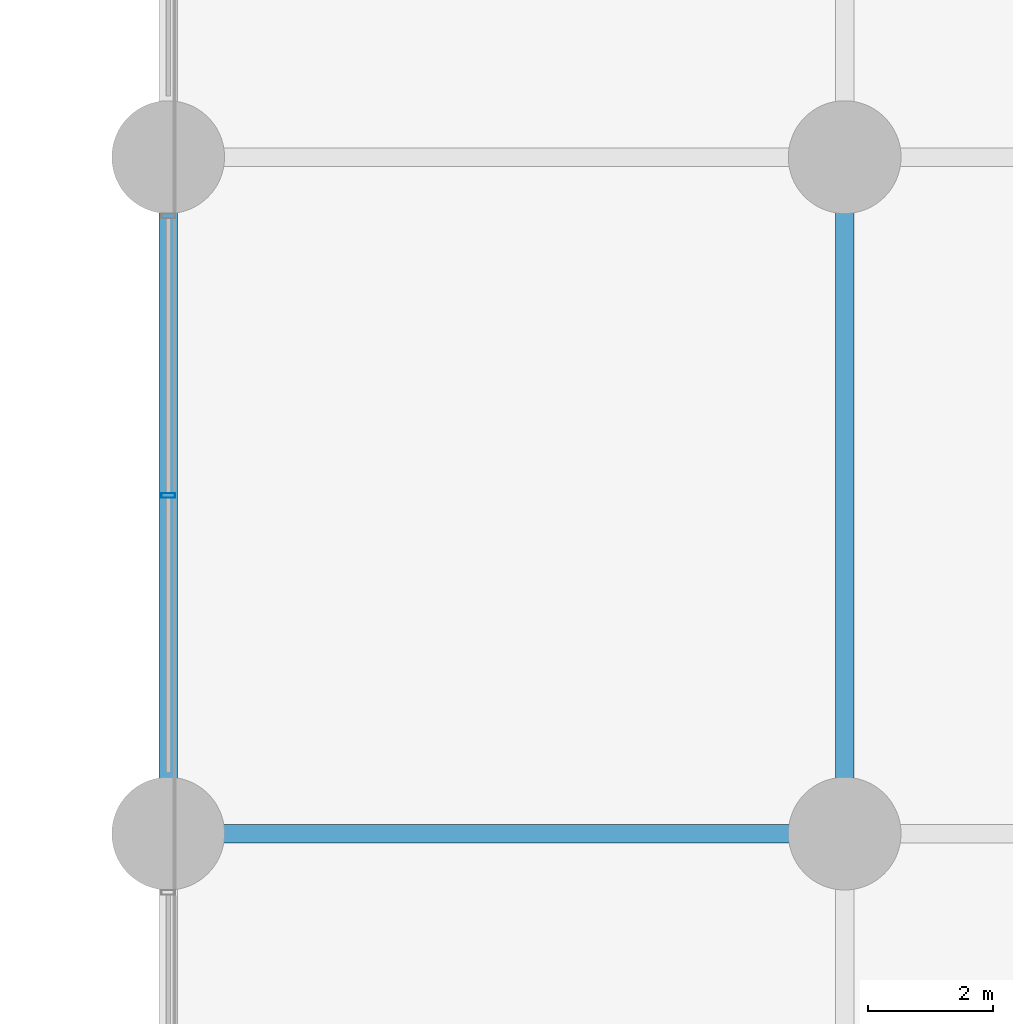
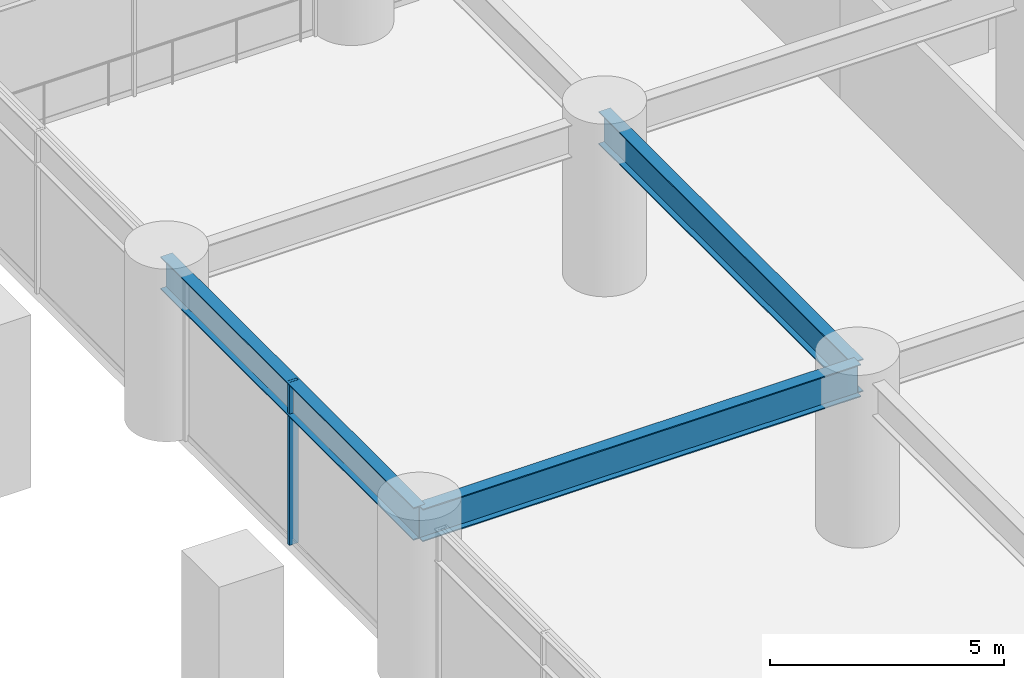
# One storey, part 7 of 31: 3 beams, 1 member, 1 element without a shape of its own.
"""IFC4 building model written with IfcOpenShell, lengths in metres."""

from ifc_helpers import new_model, si_unit, direction, frame, origin, origin_2d, place, context, subcontext, project, spatial, hollow_rectangle, i_section, extrude, material, layer, layer_set, material_profile, profile_set, type_object, element, aggregate, save


model = new_model("IFC4")

# Units and contexts
model_context = context("Model", 3, precision=1e-05, world=origin(), true_north=direction((0.0, 1.0)))
body_context = subcontext(model_context, "Body", "Model", "MODEL_VIEW")
ifc_project = project(units=[si_unit("LENGTHUNIT", "METRE"), si_unit("AREAUNIT", "SQUARE_METRE"), si_unit("VOLUMEUNIT", "CUBIC_METRE"), si_unit("PLANEANGLEUNIT", "RADIAN"), si_unit("MASSUNIT", "GRAM", prefix="KILO")], contexts=[model_context])

# Site, building, storey
site_placement = place(None, origin())
site = spatial("IfcSite", under=ifc_project, at=site_placement, CompositionType="ELEMENT")
building_placement = place(site_placement, origin())
building = spatial("IfcBuilding", under=site, at=building_placement, Name="Surkhivell Harbour Commons", CompositionType="ELEMENT")
storey_placement = place(building_placement, frame((0.0, 0.0, 4.5)))
storey = spatial("IfcBuildingStorey", under=building, at=storey_placement, Name="L01", CompositionType="ELEMENT", Elevation=4.5)

# Beams
ifc_material_1 = material(Name="Steel S460", Category="steel")
ifc_material_profile_1 = material_profile(ifc_material_1, i_section(OverallWidth=0.2939453125, OverallDepth=0.85107421875, WebThickness=0.01611328125, FlangeThickness=0.02685546875, at=origin_2d()), Name="UB838x292x226")
ifc_profile_set_1 = profile_set([ifc_material_profile_1], Name="Steel S460")
beam_type = type_object("IfcBeamType", Name="BM-SPN-838", PredefinedType="SPANDREL", material=ifc_profile_set_1)
beam_1_placement = place(storey_placement, frame((-32.39990234375, 0.0, 3.824462890625), z_axis=(0.0, 1.0, 0.0), x_axis=(-1.0, 0.0, 0.0)))
element("IfcBeam", 1, at=beam_1_placement, inside=storey, type_object=beam_type, Name="L01 Framing Beam (-32.4,0.0)", PredefinedType="SPANDREL", context=body_context, shape_type="SweptSolid", body=[
    extrude(i_section(OverallWidth=0.2939453125, OverallDepth=0.85107421875, WebThickness=0.01611328125, FlangeThickness=0.02685546875, at=origin_2d()), origin(), (0.0, 0.0, 1.0), 10.800048828125),
])
beam_2_placement = place(storey_placement, frame((-32.39990234375, 0.0, 3.824462890625), z_axis=(1.0, 0.0, 0.0), x_axis=(0.0, 1.0, 0.0)))
element("IfcBeam", 2, at=beam_2_placement, inside=storey, type_object=beam_type, Name="L01 Framing Beam (-32.4,0.0)", PredefinedType="SPANDREL", context=body_context, shape_type="SweptSolid", body=[
    extrude(i_section(OverallWidth=0.2939453125, OverallDepth=0.85107421875, WebThickness=0.01611328125, FlangeThickness=0.02685546875, at=origin_2d()), origin(), (0.0, 0.0, 1.0), 10.7998046875),
])
beam_3_placement = place(storey_placement, frame((-21.60009765625, 0.0, 3.824462890625), z_axis=(0.0, 1.0, 0.0), x_axis=(-1.0, 0.0, 0.0)))
element("IfcBeam", 3, at=beam_3_placement, inside=storey, type_object=beam_type, Name="L01 Framing Beam (-21.6,0.0)", PredefinedType="SPANDREL", context=body_context, shape_type="SweptSolid", body=[
    extrude(i_section(OverallWidth=0.2939453125, OverallDepth=0.85107421875, WebThickness=0.01611328125, FlangeThickness=0.02685546875, at=origin_2d()), origin(), (0.0, 0.0, 1.0), 10.800048828125),
])

# Curtain wall, member
ifc_material_2 = material(Name="Anodised pale-metal aluminium and insulated glazing", Category="aluminium")
ifc_layer = layer(ifc_material_2, 0.239990234375)
ifc_layer_set = layer_set([ifc_layer], Name="Anodised pale-metal aluminium and insulated glazing")
curtain_wall_type = type_object("IfcCurtainWallType", Name="CW-SYS-POD", PredefinedType="NOTDEFINED", material=ifc_layer_set)
curtain_wall_placement = place(storey_placement, origin())
curtain_wall = element("IfcCurtainWall", 4, at=curtain_wall_placement, inside=storey, type_object=curtain_wall_type, Name="L01 Curtain Wall CW-L01-P04", PredefinedType="NOTDEFINED")
ifc_material_3 = material(Name="Anodised pale-metal aluminium alloy 6063-T6", Category="aluminium")
ifc_material_profile_2 = material_profile(ifc_material_3, hollow_rectangle(XDim=0.074951171875, YDim=0.219970703125, WallThickness=0.00390625, at=origin_2d()), Name="ALU-MULL-75x220")
ifc_profile_set_2 = profile_set([ifc_material_profile_2], Name="Anodised pale-metal aluminium alloy 6063-T6")
member_type = type_object("IfcMemberType", Name="CWM-220", PredefinedType="MULLION", material=ifc_profile_set_2)
member_placement = place(storey_placement, frame((-32.39990234375, 5.39990234375, 0.0), z_axis=(0.0, 0.0, 1.0), x_axis=(0.0, -1.0, 0.0)))
member = element("IfcMember", 5, at=member_placement, type_object=member_type, Name="CW-POD mullion 4", PredefinedType="MULLION", context=body_context, shape_type="SweptSolid", body=[
    extrude(hollow_rectangle(XDim=0.074951171875, YDim=0.219970703125, WallThickness=0.00390625, at=origin_2d()), origin(), (0.0, 0.0, 1.0), 4.25),
])
aggregate(curtain_wall, [member])

save(model, "model.ifc")
